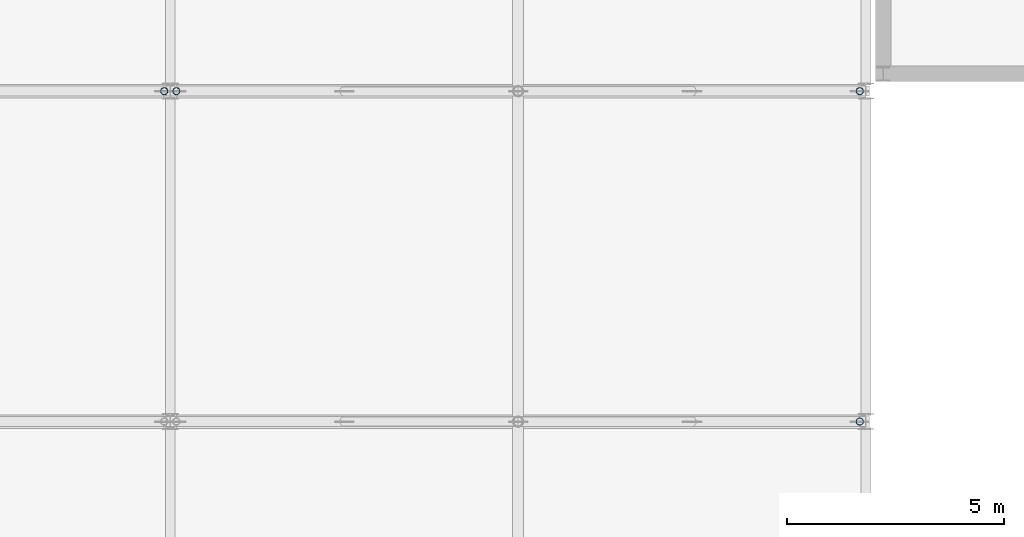
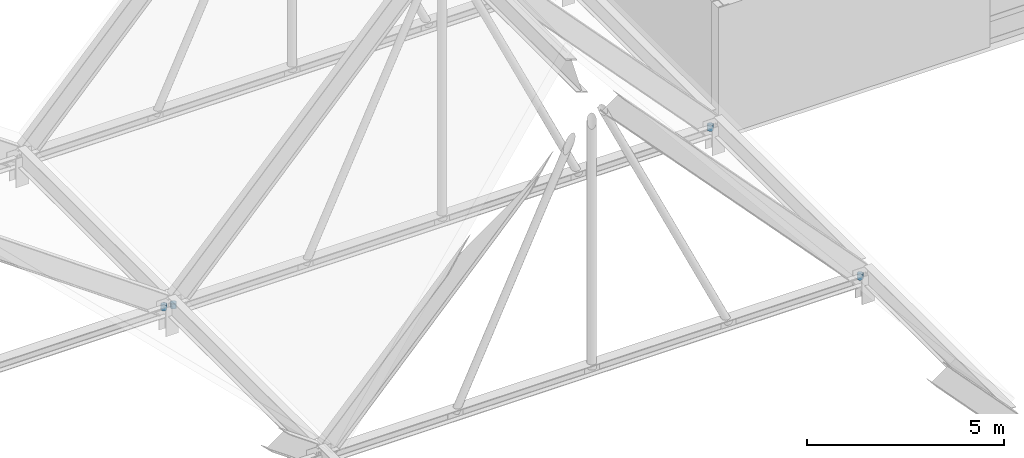
# One storey, part 57 of 85: 4 members.
"""IFC4 building model written with IfcOpenShell, lengths in metres."""

from ifc_helpers import new_model, si_unit, direction, frame, origin, origin_2d, place, context, subcontext, project, spatial, hollow_circle, extrude, material, material_profile, profile_set, type_object, element, save


model = new_model("IFC4")

# Units and contexts
model_context = context("Model", 3, precision=1e-05, world=origin(), true_north=direction((0.0, 1.0)))
body_context = subcontext(model_context, "Body", "Model", "MODEL_VIEW")
ifc_project = project(units=[si_unit("LENGTHUNIT", "METRE"), si_unit("AREAUNIT", "SQUARE_METRE"), si_unit("VOLUMEUNIT", "CUBIC_METRE"), si_unit("PLANEANGLEUNIT", "RADIAN"), si_unit("MASSUNIT", "GRAM", prefix="KILO")], contexts=[model_context])

# Site, building, storey
site_placement = place(None, origin())
site = spatial("IfcSite", under=ifc_project, at=site_placement, CompositionType="ELEMENT")
building_placement = place(site_placement, origin())
building = spatial("IfcBuilding", under=site, at=building_placement, Name="Zulena Civic Courthouse", CompositionType="ELEMENT")
storey_placement = place(building_placement, frame((0.0, 0.0, 25.199951171875)))
storey = spatial("IfcBuildingStorey", under=building, at=storey_placement, Name="L05", CompositionType="ELEMENT", Elevation=25.199951171875)

# Members
ifc_material = material(Name="Steel ASTM A500 Grade C", Category="steel")
ifc_material_profile = material_profile(ifc_material, hollow_circle(Radius=0.083984375, WallThickness=0.00732421875, at=origin_2d()), Name="HSS6.625X0.312")
ifc_profile_set = profile_set([ifc_material_profile], Name="Steel ASTM A500 Grade C")
member_type = type_object("IfcMemberType", Name="RoofWeb_CHS6", PredefinedType="USERDEFINED", material=ifc_profile_set)
member_placement = place(storey_placement, frame((107.860107421875, 30.39990234375, 0.536376953125), z_axis=(0.0, 0.0, 1.0), x_axis=(1.0, 0.0, 0.0)))
element("IfcMember", 1, at=member_placement, inside=storey, type_object=member_type, Name="mem:fold:postE:03:30.4", ObjectType="ROOF TRUSS", PredefinedType="USERDEFINED", context=body_context, shape_type="SweptSolid", body=[
    extrude(hollow_circle(Radius=0.083984375, WallThickness=0.00732421875, at=origin_2d()), origin(), (0.0, 0.0, 1.0), 0.16015625),
])
for number, where, z_axis, x_axis, name in (
    (2, (123.860107421875, 22.800048828125, 0.496337890625), (0.0, 0.0, 1.0), (1.0, 0.0, 0.0), "mem:fold:postE:04:22.8"),
    (3, (108.139892578125, 30.39990234375, 0.496337890625), (0.0, 0.0, 1.0), (1.0, 0.0, 0.0), "mem:fold:postW:04:30.4"),
    (4, (123.860107421875, 30.39990234375, 0.496337890625), (0.0, 0.0, 1.0), (1.0, 0.0, 0.0), "mem:fold:postE:04:30.4"),
):
    element("IfcMember", number, at=place(storey_placement, frame(where, z_axis=z_axis, x_axis=x_axis)), inside=storey, type_object=member_type, Name=name, ObjectType="ROOF TRUSS", PredefinedType="USERDEFINED", context=body_context, shape_type="SweptSolid", body=[
        extrude(hollow_circle(Radius=0.083984375, WallThickness=0.00732421875, at=origin_2d()), origin(), (0.0, 0.0, 1.0), 0.159912109375),
    ])

save(model, "model.ifc")
